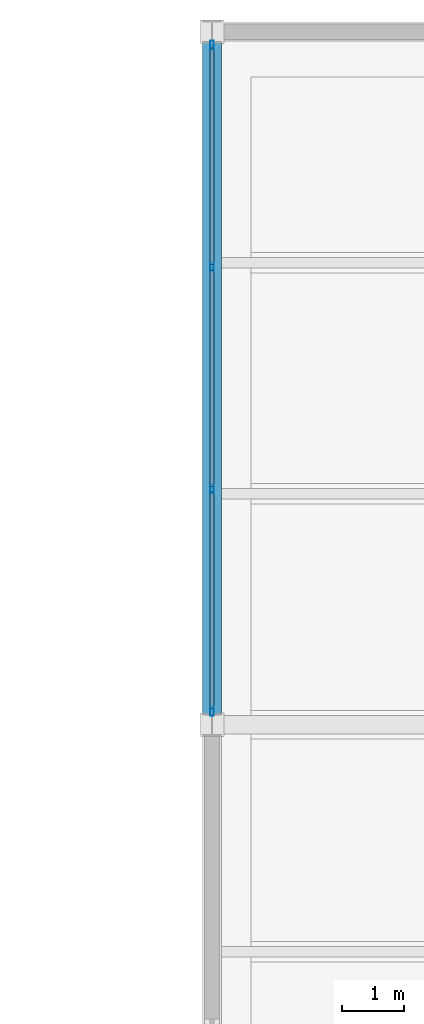
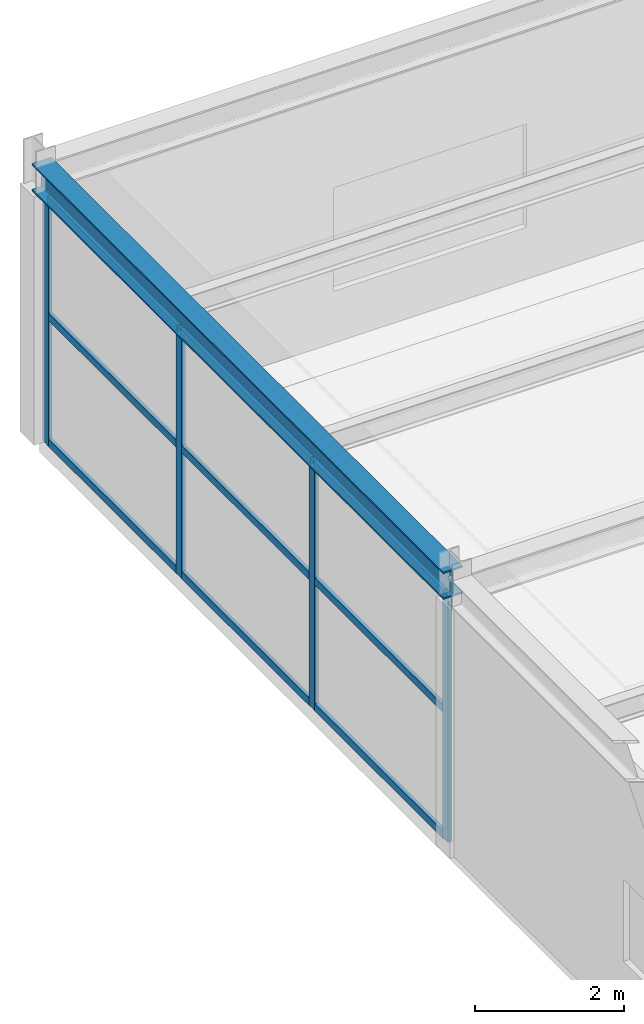
# One storey, part 48 of 100: 13 members, 1 beam, 1 element without a shape of its own.
"""IFC4 building model written with IfcOpenShell, lengths in metres."""

import ifcopenshell
import ifcopenshell.guid

model = None  # the IFC model being written
_history = None  # IfcOwnerHistory: only IFC2X3 demands one
_inside = {}  # id of a spatial element -> (the spatial element, [elements in it])
_under = {}  # id of a project, library or spatial element -> (it, [spatial elements below it])
_declared = {}  # id of a project -> (the project, [libraries it declares])
_typed = {}  # id of a type object -> (the type object, [elements of that type])
_made_of = {}  # id of a material, layer set ... -> (it, [elements and type objects made of it])


def new_model(schema):
    """Start an empty IFC model of exactly this schema.

    Asked for "IFC4X3", IfcOpenShell would pick the latest addendum, in which some entities
    have other attributes; the version numbers below select the first issue.
    IFC2X3 requires an IfcOwnerHistory on every rooted entity: one is made here for all.
    """
    global model, _history
    if schema == "IFC4X3":
        model = ifcopenshell.file(schema_version=(4, 3, 0, 0))
    else:
        model = ifcopenshell.file(schema=schema)
    _inside.clear()
    _under.clear()
    _declared.clear()
    _typed.clear()
    _made_of.clear()
    _history = None
    if model.schema == "IFC2X3":
        org = make("IfcOrganization", Name="unknown")
        user = make(
            "IfcPersonAndOrganization",
            ThePerson=make("IfcPerson", FamilyName="unknown"),
            TheOrganization=org,
        )
        app = make(
            "IfcApplication",
            ApplicationDeveloper=org,
            Version="unknown",
            ApplicationFullName="unknown",
            ApplicationIdentifier="unknown",
        )
        _history = make(
            "IfcOwnerHistory",
            OwningUser=user,
            OwningApplication=app,
            ChangeAction="ADDED",
            CreationDate=0,
        )
    return model


def make(cls, **values):
    """One entity of the class cls with the attributes given. An attribute that is None is left unset."""
    return model.create_entity(
        cls, **{name: value for name, value in values.items() if value is not None}
    )


def rooted(cls, **values):
    """An entity with a GlobalId (a new one), such as an element, a storey or a relation."""
    return make(cls, GlobalId=ifcopenshell.guid.new(), OwnerHistory=_history, **values)


def si_unit(unit_type, name, prefix=None):
    """IfcSIUnit, for example si_unit("LENGTHUNIT", "METRE", prefix="MILLI")."""
    return make("IfcSIUnit", UnitType=unit_type, Prefix=prefix, Name=name)


def assignment(units):
    """IfcUnitAssignment: the units of a project."""
    return None if units is None else make("IfcUnitAssignment", Units=units)


def point(xyz):
    """IfcCartesianPoint."""
    return None if xyz is None else make("IfcCartesianPoint", Coordinates=xyz)


def direction(xyz):
    """IfcDirection."""
    return None if xyz is None else make("IfcDirection", DirectionRatios=xyz)


def frame(location, z_axis=None, x_axis=None):
    """IfcAxis2Placement3D, a coordinate frame: its origin and axes. An axis left out is left unset."""
    return make(
        "IfcAxis2Placement3D",
        Location=point(location),
        Axis=direction(z_axis),
        RefDirection=direction(x_axis),
    )


def frame_2d(location, x_axis=None):
    """IfcAxis2Placement2D, a coordinate frame in the plane: its origin and x axis."""
    return make(
        "IfcAxis2Placement2D", Location=point(location), RefDirection=direction(x_axis)
    )


def origin():
    """The frame at (0, 0, 0) with its axes left unset."""
    return frame((0.0, 0.0, 0.0))


def origin_2d():
    """The frame at (0, 0) in the plane with its x axis left unset."""
    return frame_2d((0.0, 0.0))


def place(relative_to, where):
    """IfcLocalPlacement: puts the frame where relative to a parent placement (None: the world)."""
    return make(
        "IfcLocalPlacement", PlacementRelTo=relative_to, RelativePlacement=where
    )


def context(
    kind, dimensions, precision=None, world=None, true_north=None, identifier=None
):
    """IfcGeometricRepresentationContext, for example the 3D "Model" context."""
    return make(
        "IfcGeometricRepresentationContext",
        ContextIdentifier=identifier,
        ContextType=kind,
        CoordinateSpaceDimension=dimensions,
        Precision=precision,
        WorldCoordinateSystem=world,
        TrueNorth=true_north,
    )


def subcontext(parent, identifier, kind, view, scale=None):
    """IfcGeometricRepresentationSubContext, for example "Body" below "Model"."""
    return make(
        "IfcGeometricRepresentationSubContext",
        ContextIdentifier=identifier,
        ContextType=kind,
        ParentContext=parent,
        TargetScale=scale,
        TargetView=view,
    )


def project(units=None, contexts=None):
    """IfcProject with its units and contexts."""
    return rooted(
        "IfcProject",
        Name="project",
        RepresentationContexts=contexts,
        UnitsInContext=assignment(units),
    )


def spatial(cls, under=None, at=None, **own):
    """A site, building, storey or space (cls), placed at a placement, below another one or the project."""
    s = rooted(cls, ObjectPlacement=at, **own)
    if under is not None:
        _under.setdefault(under.id(), (under, []))[1].append(s)
    return s


def profile(cls, at=None, kind="AREA", **sizes):
    """A parametric profile (cls). Its sizes go by their IFC names, for example OverallWidth=200.0."""
    return make(cls, ProfileType=kind, Position=at, **sizes)


def hollow_rectangle(**sizes):
    """IfcRectangleHollowProfileDef."""
    return profile("IfcRectangleHollowProfileDef", **sizes)


def i_section(**sizes):
    """IfcIShapeProfileDef."""
    return profile("IfcIShapeProfileDef", **sizes)


def extrude(swept, where, along, depth):
    """IfcExtrudedAreaSolid: the profile swept, set in the frame where, extruded along a direction by depth."""
    return make(
        "IfcExtrudedAreaSolid",
        SweptArea=swept,
        Position=where,
        ExtrudedDirection=direction(along),
        Depth=depth,
    )


def shape(context_of_items, identifier, shape_type, items):
    """IfcShapeRepresentation: the items that make up one representation, for example the "Body"."""
    return make(
        "IfcShapeRepresentation",
        ContextOfItems=context_of_items,
        RepresentationIdentifier=identifier,
        RepresentationType=shape_type,
        Items=items,
    )


def material(Name=None, Category=None):
    """IfcMaterial."""
    return make("IfcMaterial", Name=Name, Category=Category)


def material_profile(
    of_material, cross_section, Name=None, Category=None, Priority=None
):
    """IfcMaterialProfile: a cross section and its material."""
    return make(
        "IfcMaterialProfile",
        Name=Name,
        Material=of_material,
        Profile=cross_section,
        Priority=Priority,
        Category=Category,
    )


def profile_set(profiles, Name=None, composite=None):
    """IfcMaterialProfileSet."""
    return make(
        "IfcMaterialProfileSet",
        Name=Name,
        MaterialProfiles=profiles,
        CompositeProfile=composite,
    )


def made_of(thing, what):
    """Note that an element or type object is made of a material, layer set ...; save() writes the relation."""
    if what is not None:
        _made_of.setdefault(what.id(), (what, []))[1].append(thing)
    return thing


def type_object(cls, material=None, **own):
    """A type object (cls), such as IfcWallType, which elements share."""
    return made_of(rooted(cls, **own), material)


def element(
    cls,
    number,
    at=None,
    inside=None,
    cuts=None,
    type_object=None,
    material=None,
    context=None,
    identifier="Body",
    shape_type=None,
    held_by="IfcProductDefinitionShape",
    body=None,
    shapes=None,
    **own,
):
    """One element of the class cls, such as IfcWall. Its Tag is "e" and its number.

    at: its placement. inside: the storey or other place that contains it. cuts: it is an
    opening in that element (IfcRelVoidsElement). A single representation is given by context,
    identifier, shape_type and body (its items); several are given by shapes. held_by: the class
    of the entity that holds the representations. save() writes the other relations.
    """
    e = rooted(cls, Tag="e%d" % number, ObjectPlacement=at, **own)
    if body is not None:
        shapes = [shape(context, identifier, shape_type, body)]
    if shapes is not None:
        e.Representation = make(held_by, Representations=shapes)
    if inside is not None:
        _inside.setdefault(inside.id(), (inside, []))[1].append(e)
    if cuts is not None:
        rooted(
            "IfcRelVoidsElement", RelatingBuildingElement=cuts, RelatedOpeningElement=e
        )
    if type_object is not None:
        _typed.setdefault(type_object.id(), (type_object, []))[1].append(e)
    return made_of(e, material)


def aggregate(whole, parts):
    """IfcRelAggregates: a whole, such as a stair, and the parts it consists of."""
    return rooted("IfcRelAggregates", RelatingObject=whole, RelatedObjects=parts)


def save(model, path):
    """Write the relations noted so far, then the file.

    IfcRelAggregates (storeys below a building ...), IfcRelContainedInSpatialStructure (elements
    in a storey), IfcRelDefinesByType, IfcRelAssociatesMaterial and IfcRelDeclares: one each for
    every whole, place, type object, material and project.
    """
    for whole, parts in _under.values():
        aggregate(whole, parts)
    for where, things in _inside.values():
        rooted(
            "IfcRelContainedInSpatialStructure",
            RelatedElements=things,
            RelatingStructure=where,
        )
    for kind, things in _typed.values():
        rooted("IfcRelDefinesByType", RelatedObjects=things, RelatingType=kind)
    for what, things in _made_of.values():
        rooted("IfcRelAssociatesMaterial", RelatedObjects=things, RelatingMaterial=what)
    for by, libraries in _declared.values():
        rooted("IfcRelDeclares", RelatingContext=by, RelatedDefinitions=libraries)
    model.write(path)


model = new_model("IFC4")

# Units and contexts
model_context = context("Model", 3, precision=1e-05, world=origin(), true_north=direction((0.0, 1.0)))
body_context = subcontext(model_context, "Body", "Model", "MODEL_VIEW")
ifc_project = project(units=[si_unit("LENGTHUNIT", "METRE"), si_unit("AREAUNIT", "SQUARE_METRE"), si_unit("VOLUMEUNIT", "CUBIC_METRE"), si_unit("PLANEANGLEUNIT", "RADIAN"), si_unit("MASSUNIT", "GRAM", prefix="KILO")], contexts=[model_context])

# Site, building, storey
site_placement = place(None, origin())
site = spatial("IfcSite", under=ifc_project, at=site_placement, CompositionType="ELEMENT")
building_placement = place(site_placement, origin())
building = spatial("IfcBuilding", under=site, at=building_placement, Name="Tarnveldt Headland Concert Hall", CompositionType="ELEMENT")
storey_placement = place(building_placement, frame((0.0, 0.0, 4.800048828125)))
storey = spatial("IfcBuildingStorey", under=building, at=storey_placement, Name="L01", CompositionType="ELEMENT", Elevation=4.800048828125)

# Curtain wall, members
ifc_material_1 = material(Name="Marine-anodised aluminium EN AW-6063-T6", Category="aluminium")
curtain_wall_type = type_object("IfcCurtainWallType", Name="CW-R2", PredefinedType="NOTDEFINED", material=ifc_material_1)
curtain_wall_placement = place(storey_placement, origin())
curtain_wall = element("IfcCurtainWall", 1, at=curtain_wall_placement, inside=storey, type_object=curtain_wall_type, Name="Curtain wall CW-L01-179", PredefinedType="NOTDEFINED")
ifc_material_profile_1 = material_profile(ifc_material_1, hollow_rectangle(XDim=0.06005859375, YDim=0.14990234375, WallThickness=0.00390625, at=origin_2d()), Name="ALU MULLION 60x150x4", Category="aluminium")
ifc_profile_set_1 = profile_set([ifc_material_profile_1], Name="Marine-anodised aluminium EN AW-6063-T6")
member_type_1 = type_object("IfcMemberType", Name="ML-150", PredefinedType="MULLION", material=ifc_profile_set_1)
member_1_placement = place(storey_placement, frame((19.5, 114.97998046875, 0.0), z_axis=(0.0, 0.0, 1.0), x_axis=(1.0, 0.0, 0.0)))
member_1 = element("IfcMember", 2, at=member_1_placement, type_object=member_type_1, Name="Mullion CW-L01-179-1", PredefinedType="MULLION", context=body_context, shape_type="SweptSolid", body=[
    extrude(hollow_rectangle(XDim=0.06005859375, YDim=0.14990234375, WallThickness=0.00390625, at=origin_2d()), origin(), (0.0, 0.0, 1.0), 4.077880859375),
])
member_2_placement = place(storey_placement, frame((19.5, 111.393310546875, 0.0), z_axis=(0.0, 0.0, 1.0), x_axis=(1.0, 0.0, 0.0)))
member_2 = element("IfcMember", 3, at=member_2_placement, type_object=member_type_1, Name="Mullion CW-L01-179-2", PredefinedType="MULLION", context=body_context, shape_type="SweptSolid", body=[
    extrude(hollow_rectangle(XDim=0.06005859375, YDim=0.14990234375, WallThickness=0.00390625, at=origin_2d()), origin(), (0.0, 0.0, 1.0), 4.077880859375),
])
member_3_placement = place(storey_placement, frame((19.5, 107.806640625, 0.0), z_axis=(0.0, 0.0, 1.0), x_axis=(1.0, 0.0, 0.0)))
member_3 = element("IfcMember", 4, at=member_3_placement, type_object=member_type_1, Name="Mullion CW-L01-179-3", PredefinedType="MULLION", context=body_context, shape_type="SweptSolid", body=[
    extrude(hollow_rectangle(XDim=0.06005859375, YDim=0.14990234375, WallThickness=0.00390625, at=origin_2d()), origin(), (0.0, 0.0, 1.0), 4.077880859375),
])
member_4_placement = place(storey_placement, frame((19.5, 104.219970703125, 0.0), z_axis=(0.0, 0.0, 1.0), x_axis=(1.0, 0.0, 0.0)))
member_4 = element("IfcMember", 5, at=member_4_placement, type_object=member_type_1, Name="Mullion CW-L01-179-4", PredefinedType="MULLION", context=body_context, shape_type="SweptSolid", body=[
    extrude(hollow_rectangle(XDim=0.06005859375, YDim=0.14990234375, WallThickness=0.00390625, at=origin_2d()), origin(), (0.0, 0.0, 1.0), 4.077880859375),
])

# Beam
ifc_material_2 = material(Name="Steel S355", Category="steel")
ifc_material_profile_2 = material_profile(ifc_material_2, i_section(OverallWidth=0.300048828125, OverallDepth=0.449951171875, WebThickness=0.013916015625, FlangeThickness=0.02587890625, FilletRadius=0.027099609375, at=origin_2d()), Name="HEB450", Category="steel")
ifc_profile_set_2 = profile_set([ifc_material_profile_2], Name="Steel S355")
beam_type = type_object("IfcBeamType", Name="SB-HEB450", PredefinedType="BEAM", material=ifc_profile_set_2)
beam_placement = place(storey_placement, frame((19.5, 104.06005859375, 4.31494140625), z_axis=(0.0, 1.0, 0.0), x_axis=(-1.0, 0.0, 0.0)))
element("IfcBeam", 6, at=beam_placement, inside=storey, type_object=beam_type, Name="Framing beam L01-960", PredefinedType="BEAM", context=body_context, shape_type="SweptSolid", body=[
    extrude(i_section(OverallWidth=0.300048828125, OverallDepth=0.449951171875, WebThickness=0.013916015625, FlangeThickness=0.02587890625, FilletRadius=0.027099609375, at=origin_2d()), origin(), (0.0, 0.0, 1.0), 11.079833984375),
])

# Member
ifc_material_profile_3 = material_profile(ifc_material_1, hollow_rectangle(XDim=0.06005859375, YDim=0.1201171875, WallThickness=0.00390625, at=origin_2d()), Name="ALU TRANSOM 60x120x4", Category="aluminium")
ifc_profile_set_3 = profile_set([ifc_material_profile_3], Name="Marine-anodised aluminium EN AW-6063-T6")
member_type_2 = type_object("IfcMemberType", Name="TR-110", PredefinedType="MEMBER", material=ifc_profile_set_3)
member_5_placement = place(storey_placement, frame((19.5, 114.93798828125, 0.050048828125), z_axis=(0.0, -1.0, 0.0), x_axis=(1.0, 0.0, 0.0)))
member_5 = element("IfcMember", 7, at=member_5_placement, type_object=member_type_2, Name="Transom CW-L01-179-1-1", PredefinedType="MEMBER", context=body_context, shape_type="SweptSolid", body=[
    extrude(hollow_rectangle(XDim=0.06005859375, YDim=0.1201171875, WallThickness=0.00390625, at=origin_2d()), origin(), (0.0, 0.0, 1.0), 3.502685546875),
])

member_6_placement = place(storey_placement, frame((19.5, 114.93798828125, 2.12060546875), z_axis=(0.0, -1.0, 0.0), x_axis=(1.0, 0.0, 0.0)))
member_6 = element("IfcMember", 8, at=member_6_placement, type_object=member_type_2, Name="Transom CW-L01-179-1-2", PredefinedType="MEMBER", context=body_context, shape_type="SweptSolid", body=[
    extrude(hollow_rectangle(XDim=0.06005859375, YDim=0.1201171875, WallThickness=0.00390625, at=origin_2d()), origin(), (0.0, 0.0, 1.0), 3.502685546875),
])

member_7_placement = place(storey_placement, frame((19.5, 114.93798828125, 4.02783203125), z_axis=(0.0, -1.0, 0.0), x_axis=(1.0, 0.0, 0.0)))
member_7 = element("IfcMember", 9, at=member_7_placement, type_object=member_type_2, Name="Transom CW-L01-179-1-3", PredefinedType="MEMBER", context=body_context, shape_type="SweptSolid", body=[
    extrude(hollow_rectangle(XDim=0.06005859375, YDim=0.1201171875, WallThickness=0.00390625, at=origin_2d()), origin(), (0.0, 0.0, 1.0), 3.502685546875),
])

member_8_placement = place(storey_placement, frame((19.5, 111.351318359375, 0.050048828125), z_axis=(0.0, -1.0, 0.0), x_axis=(1.0, 0.0, 0.0)))
member_8 = element("IfcMember", 10, at=member_8_placement, type_object=member_type_2, Name="Transom CW-L01-179-2-1", PredefinedType="MEMBER", context=body_context, shape_type="SweptSolid", body=[
    extrude(hollow_rectangle(XDim=0.06005859375, YDim=0.1201171875, WallThickness=0.00390625, at=origin_2d()), origin(), (0.0, 0.0, 1.0), 3.502685546875),
])

member_9_placement = place(storey_placement, frame((19.5, 111.351318359375, 2.12060546875), z_axis=(0.0, -1.0, 0.0), x_axis=(1.0, 0.0, 0.0)))
member_9 = element("IfcMember", 11, at=member_9_placement, type_object=member_type_2, Name="Transom CW-L01-179-2-2", PredefinedType="MEMBER", context=body_context, shape_type="SweptSolid", body=[
    extrude(hollow_rectangle(XDim=0.06005859375, YDim=0.1201171875, WallThickness=0.00390625, at=origin_2d()), origin(), (0.0, 0.0, 1.0), 3.502685546875),
])

member_10_placement = place(storey_placement, frame((19.5, 111.351318359375, 4.02783203125), z_axis=(0.0, -1.0, 0.0), x_axis=(1.0, 0.0, 0.0)))
member_10 = element("IfcMember", 12, at=member_10_placement, type_object=member_type_2, Name="Transom CW-L01-179-2-3", PredefinedType="MEMBER", context=body_context, shape_type="SweptSolid", body=[
    extrude(hollow_rectangle(XDim=0.06005859375, YDim=0.1201171875, WallThickness=0.00390625, at=origin_2d()), origin(), (0.0, 0.0, 1.0), 3.502685546875),
])

member_11_placement = place(storey_placement, frame((19.5, 107.7646484375, 0.050048828125), z_axis=(0.0, -1.0, 0.0), x_axis=(1.0, 0.0, 0.0)))
member_11 = element("IfcMember", 13, at=member_11_placement, type_object=member_type_2, Name="Transom CW-L01-179-3-1", PredefinedType="MEMBER", context=body_context, shape_type="SweptSolid", body=[
    extrude(hollow_rectangle(XDim=0.06005859375, YDim=0.1201171875, WallThickness=0.00390625, at=origin_2d()), origin(), (0.0, 0.0, 1.0), 3.502685546875),
])

member_12_placement = place(storey_placement, frame((19.5, 107.7646484375, 2.12060546875), z_axis=(0.0, -1.0, 0.0), x_axis=(1.0, 0.0, 0.0)))
member_12 = element("IfcMember", 14, at=member_12_placement, type_object=member_type_2, Name="Transom CW-L01-179-3-2", PredefinedType="MEMBER", context=body_context, shape_type="SweptSolid", body=[
    extrude(hollow_rectangle(XDim=0.06005859375, YDim=0.1201171875, WallThickness=0.00390625, at=origin_2d()), origin(), (0.0, 0.0, 1.0), 3.502685546875),
])

member_13_placement = place(storey_placement, frame((19.5, 107.7646484375, 4.02783203125), z_axis=(0.0, -1.0, 0.0), x_axis=(1.0, 0.0, 0.0)))
member_13 = element("IfcMember", 15, at=member_13_placement, type_object=member_type_2, Name="Transom CW-L01-179-3-3", PredefinedType="MEMBER", context=body_context, shape_type="SweptSolid", body=[
    extrude(hollow_rectangle(XDim=0.06005859375, YDim=0.1201171875, WallThickness=0.00390625, at=origin_2d()), origin(), (0.0, 0.0, 1.0), 3.502685546875),
])

aggregate(curtain_wall, [member_1, member_2, member_3, member_4, member_5, member_6, member_7, member_8, member_9, member_10, member_11, member_12, member_13])

save(model, "model.ifc")
